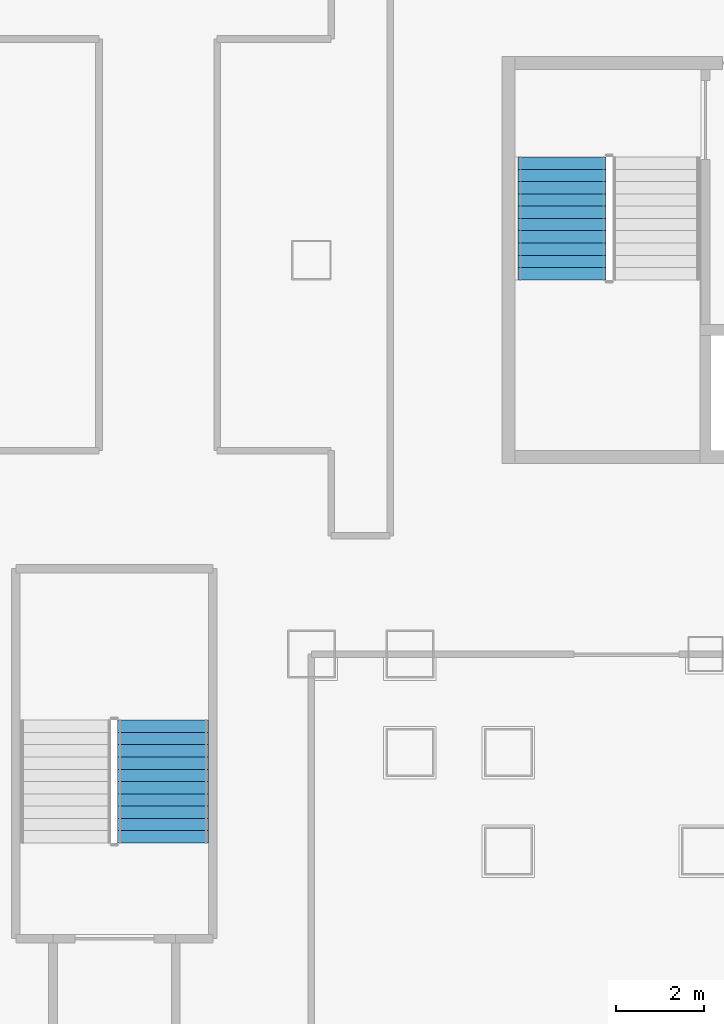
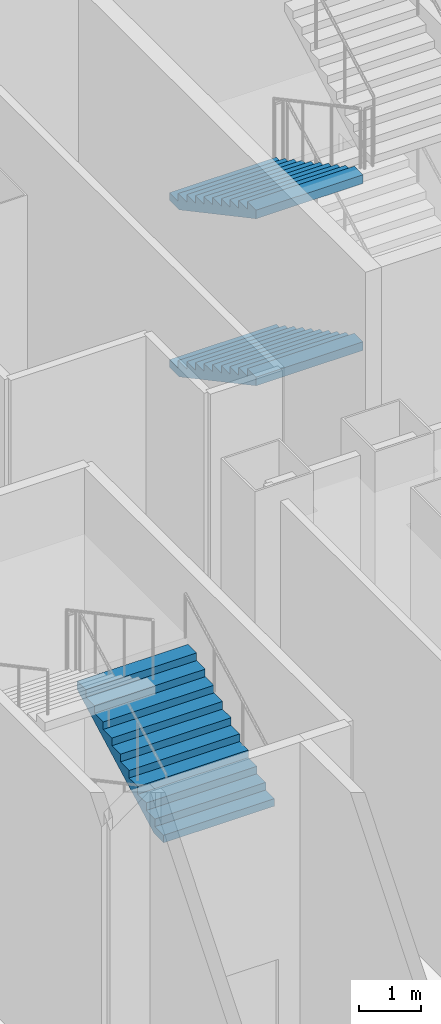
# One storey, part 10 of 26: 3 stair flights, 2 elements without a shape of their own.
"""IFC4 building model written with IfcOpenShell, lengths in metres."""

from ifc_helpers import new_model, si_unit, direction, frame, origin, place, context, subcontext, project, spatial, polygons, material, type_object, element, aggregate, save


model = new_model("IFC4")

# Units and contexts
model_context = context("Model", 3, precision=1e-05, world=origin(), true_north=direction((0.0, 1.0)))
body_context = subcontext(model_context, "Body", "Model", "MODEL_VIEW")
ifc_project = project(units=[si_unit("LENGTHUNIT", "METRE"), si_unit("AREAUNIT", "SQUARE_METRE"), si_unit("VOLUMEUNIT", "CUBIC_METRE"), si_unit("PLANEANGLEUNIT", "RADIAN"), si_unit("MASSUNIT", "GRAM", prefix="KILO")], contexts=[model_context])

# Site, building, storey
site_placement = place(None, origin())
site = spatial("IfcSite", under=ifc_project, at=site_placement, CompositionType="ELEMENT")
building_placement = place(site_placement, origin())
building = spatial("IfcBuilding", under=site, at=building_placement, Name="Caravel Reach Hotel and Residences", CompositionType="ELEMENT")
storey_placement = place(building_placement, frame((0.0, 0.0, 17.39990234375)))
storey = spatial("IfcBuildingStorey", under=building, at=storey_placement, Name="L03", CompositionType="ELEMENT", Elevation=17.39990234375)

# Stair, stair flights
ifc_material_1 = material(Name="Concrete C40", Category="concrete")
stair_type = type_object("IfcStairType", Name="Core stair", PredefinedType="HALF_TURN_STAIR", material=ifc_material_1)
stair_1_placement = place(storey_placement, origin())
stair_1 = element("IfcStair", 1, at=stair_1_placement, inside=storey, type_object=stair_type, Name="L03 Exit stair A", PredefinedType="HALF_TURN_STAIR")
ifc_material_2 = material(Name="Concrete C40", Category="concrete")
stair_flight_type = type_object("IfcStairFlightType", Name="Core stair flight", PredefinedType="STRAIGHT", material=ifc_material_2)
stair_flight_1_placement = place(storey_placement, frame((19.22509765625, 29.35009765625, 0.0), z_axis=(0.0, 0.0, 1.0), x_axis=(0.0, -1.0, 0.0)))
stair_flight_1 = element("IfcStairFlight", 2, at=stair_flight_1_placement, type_object=stair_flight_type, Name="ST-A flight 1", NumberOfRisers=11, NumberOfTreads=10, PredefinedType="STRAIGHT", RiserHeight=0.15, TreadLength=0.28, context=body_context, shape_type="Tessellation", body=[
    polygons([(0.3174408016601862, 1.0, 0.0), (0.3174408016601862, 0.6666666666666667, 0.0), (0.3174408016601862, 0.33333333333333337, 0.0), (0.3174408016601862, 0.0, 0.0), (0.3174408016601862, -0.33333333333333326, 0.0), (0.3174408016601862, -0.6666666666666667, 0.0), (0.3174408016601862, -1.0, 0.0), (2.801, 1.0, 1.329942427682043), (2.801, 0.6666666666666667, 1.329942427682043), (2.801, 0.33333333333333337, 1.329942427682043), (2.801, 0.0, 1.329942427682043), (2.801, -0.33333333333333326, 1.329942427682043), (2.801, -0.6666666666666667, 1.329942427682043), (2.801, -1.0, 1.329942427682043), (2.801, 1.0, 1.5), (2.801, 0.6666666666666667, 1.5), (2.801, 0.33333333333333337, 1.5), (2.801, 0.0, 1.5), (2.801, -0.33333333333333326, 1.5), (2.801, -0.6666666666666667, 1.5), (2.801, -1.0, 1.5), (2.5200000000000005, 1.0, 1.5), (2.5200000000000005, 0.6666666666666667, 1.5), (2.5200000000000005, 0.33333333333333337, 1.5), (2.5200000000000005, 0.0, 1.5), (2.5200000000000005, -0.33333333333333326, 1.5), (2.5200000000000005, -0.6666666666666667, 1.5), (2.5200000000000005, -1.0, 1.5), (2.5200000000000005, 1.0, 1.3499999999999999), (2.5200000000000005, 0.6666666666666667, 1.3499999999999999), (2.5200000000000005, 0.33333333333333337, 1.3499999999999999), (2.5200000000000005, 0.0, 1.3499999999999999), (2.5200000000000005, -0.33333333333333326, 1.3499999999999999), (2.5200000000000005, -0.6666666666666667, 1.3499999999999999), (2.5200000000000005, -1.0, 1.3499999999999999), (2.24, 1.0, 1.3499999999999999), (2.24, 0.6666666666666667, 1.3499999999999999), (2.24, 0.33333333333333337, 1.3499999999999999), (2.24, 0.0, 1.3499999999999999), (2.24, -0.33333333333333326, 1.3499999999999999), (2.24, -0.6666666666666667, 1.3499999999999999), (2.24, -1.0, 1.3499999999999999), (2.24, 1.0, 1.2), (2.24, 0.6666666666666667, 1.2), (2.24, 0.33333333333333337, 1.2), (2.24, 0.0, 1.2), (2.24, -0.33333333333333326, 1.2), (2.24, -0.6666666666666667, 1.2), (2.24, -1.0, 1.2), (1.9600000000000002, 1.0, 1.2), (1.9600000000000002, 0.6666666666666667, 1.2), (1.9600000000000002, 0.33333333333333337, 1.2), (1.9600000000000002, 0.0, 1.2), (1.9600000000000002, -0.33333333333333326, 1.2), (1.9600000000000002, -0.6666666666666667, 1.2), (1.9600000000000002, -1.0, 1.2), (1.9600000000000002, 1.0, 1.05), (1.9600000000000002, 0.6666666666666667, 1.05), (1.9600000000000002, 0.33333333333333337, 1.05), (1.9600000000000002, 0.0, 1.05), (1.9600000000000002, -0.33333333333333326, 1.05), (1.9600000000000002, -0.6666666666666667, 1.05), (1.9600000000000002, -1.0, 1.05), (1.6800000000000002, 1.0, 1.05), (1.6800000000000002, 0.6666666666666667, 1.05), (1.6800000000000002, 0.33333333333333337, 1.05), (1.6800000000000002, 0.0, 1.05), (1.6800000000000002, -0.33333333333333326, 1.05), (1.6800000000000002, -0.6666666666666667, 1.05), (1.6800000000000002, -1.0, 1.05), (1.6800000000000002, 1.0, 0.8999999999999999), (1.6800000000000002, 0.6666666666666667, 0.8999999999999999), (1.6800000000000002, 0.33333333333333337, 0.8999999999999999), (1.6800000000000002, 0.0, 0.8999999999999999), (1.6800000000000002, -0.33333333333333326, 0.8999999999999999), (1.6800000000000002, -0.6666666666666667, 0.8999999999999999), (1.6800000000000002, -1.0, 0.8999999999999999), (1.4000000000000001, 1.0, 0.8999999999999999), (1.4000000000000001, 0.6666666666666667, 0.8999999999999999), (1.4000000000000001, 0.33333333333333337, 0.8999999999999999), (1.4000000000000001, 0.0, 0.8999999999999999), (1.4000000000000001, -0.33333333333333326, 0.8999999999999999), (1.4000000000000001, -0.6666666666666667, 0.8999999999999999), (1.4000000000000001, -1.0, 0.8999999999999999), (1.4000000000000001, 1.0, 0.75), (1.4000000000000001, 0.6666666666666667, 0.75), (1.4000000000000001, 0.33333333333333337, 0.75), (1.4000000000000001, 0.0, 0.75), (1.4000000000000001, -0.33333333333333326, 0.75), (1.4000000000000001, -0.6666666666666667, 0.75), (1.4000000000000001, -1.0, 0.75), (1.12, 1.0, 0.75), (1.12, 0.6666666666666667, 0.75), (1.12, 0.33333333333333337, 0.75), (1.12, 0.0, 0.75), (1.12, -0.33333333333333326, 0.75), (1.12, -0.6666666666666667, 0.75), (1.12, -1.0, 0.75), (1.12, 1.0, 0.6), (1.12, 0.6666666666666667, 0.6), (1.12, 0.33333333333333337, 0.6), (1.12, 0.0, 0.6), (1.12, -0.33333333333333326, 0.6), (1.12, -0.6666666666666667, 0.6), (1.12, -1.0, 0.6), (0.8400000000000001, 1.0, 0.6), (0.8400000000000001, 0.6666666666666667, 0.6), (0.8400000000000001, 0.33333333333333337, 0.6), (0.8400000000000001, 0.0, 0.6), (0.8400000000000001, -0.33333333333333326, 0.6), (0.8400000000000001, -0.6666666666666667, 0.6), (0.8400000000000001, -1.0, 0.6), (0.8400000000000001, 1.0, 0.44999999999999996), (0.8400000000000001, 0.6666666666666667, 0.44999999999999996), (0.8400000000000001, 0.33333333333333337, 0.44999999999999996), (0.8400000000000001, 0.0, 0.44999999999999996), (0.8400000000000001, -0.33333333333333326, 0.44999999999999996), (0.8400000000000001, -0.6666666666666667, 0.44999999999999996), (0.8400000000000001, -1.0, 0.44999999999999996), (0.56, 1.0, 0.44999999999999996), (0.56, 0.6666666666666667, 0.44999999999999996), (0.56, 0.33333333333333337, 0.44999999999999996), (0.56, 0.0, 0.44999999999999996), (0.56, -0.33333333333333326, 0.44999999999999996), (0.56, -0.6666666666666667, 0.44999999999999996), (0.56, -1.0, 0.44999999999999996), (0.56, 1.0, 0.3), (0.56, 0.6666666666666667, 0.3), (0.56, 0.33333333333333337, 0.3), (0.56, 0.0, 0.3), (0.56, -0.33333333333333326, 0.3), (0.56, -0.6666666666666667, 0.3), (0.56, -1.0, 0.3), (0.28, 1.0, 0.3), (0.28, 0.6666666666666667, 0.3), (0.28, 0.33333333333333337, 0.3), (0.28, 0.0, 0.3), (0.28, -0.33333333333333326, 0.3), (0.28, -0.6666666666666667, 0.3), (0.28, -1.0, 0.3), (0.28, 1.0, 0.15), (0.28, 0.6666666666666667, 0.15), (0.28, 0.33333333333333337, 0.15), (0.28, 0.0, 0.15), (0.28, -0.33333333333333326, 0.15), (0.28, -0.6666666666666667, 0.15), (0.28, -1.0, 0.15), (-0.001, 1.0, 0.15), (-0.001, 0.6666666666666667, 0.15), (-0.001, 0.33333333333333337, 0.15), (-0.001, 0.0, 0.15), (-0.001, -0.33333333333333326, 0.15), (-0.001, -0.6666666666666667, 0.15), (-0.001, -1.0, 0.15), (-0.001, 1.0, 0.0), (-0.001, 0.6666666666666667, 0.0), (-0.001, 0.33333333333333337, 0.0), (-0.001, 0.0, 0.0), (-0.001, -0.33333333333333326, 0.0), (-0.001, -0.6666666666666667, 0.0), (-0.001, -1.0, 0.0)], [[[155, 148, 141, 134, 127, 120, 113, 106, 99, 92, 85, 78, 71, 64, 57, 50, 43, 36, 29, 22, 15, 8, 1]], [[7, 14, 21, 28, 35, 42, 49, 56, 63, 70, 77, 84, 91, 98, 105, 112, 119, 126, 133, 140, 147, 154, 161]], [[1, 8, 9, 2]], [[2, 9, 10, 3]], [[3, 10, 11, 4]], [[4, 11, 12, 5]], [[5, 12, 13, 6]], [[6, 13, 14, 7]], [[8, 15, 16, 9]], [[9, 16, 17, 10]], [[10, 17, 18, 11]], [[11, 18, 19, 12]], [[12, 19, 20, 13]], [[13, 20, 21, 14]], [[15, 22, 23, 16]], [[16, 23, 24, 17]], [[17, 24, 25, 18]], [[18, 25, 26, 19]], [[19, 26, 27, 20]], [[20, 27, 28, 21]], [[22, 29, 30, 23]], [[23, 30, 31, 24]], [[24, 31, 32, 25]], [[25, 32, 33, 26]], [[26, 33, 34, 27]], [[27, 34, 35, 28]], [[29, 36, 37, 30]], [[30, 37, 38, 31]], [[31, 38, 39, 32]], [[32, 39, 40, 33]], [[33, 40, 41, 34]], [[34, 41, 42, 35]], [[36, 43, 44, 37]], [[37, 44, 45, 38]], [[38, 45, 46, 39]], [[39, 46, 47, 40]], [[40, 47, 48, 41]], [[41, 48, 49, 42]], [[43, 50, 51, 44]], [[44, 51, 52, 45]], [[45, 52, 53, 46]], [[46, 53, 54, 47]], [[47, 54, 55, 48]], [[48, 55, 56, 49]], [[50, 57, 58, 51]], [[51, 58, 59, 52]], [[52, 59, 60, 53]], [[53, 60, 61, 54]], [[54, 61, 62, 55]], [[55, 62, 63, 56]], [[57, 64, 65, 58]], [[58, 65, 66, 59]], [[59, 66, 67, 60]], [[60, 67, 68, 61]], [[61, 68, 69, 62]], [[62, 69, 70, 63]], [[64, 71, 72, 65]], [[65, 72, 73, 66]], [[66, 73, 74, 67]], [[67, 74, 75, 68]], [[68, 75, 76, 69]], [[69, 76, 77, 70]], [[71, 78, 79, 72]], [[72, 79, 80, 73]], [[73, 80, 81, 74]], [[74, 81, 82, 75]], [[75, 82, 83, 76]], [[76, 83, 84, 77]], [[78, 85, 86, 79]], [[79, 86, 87, 80]], [[80, 87, 88, 81]], [[81, 88, 89, 82]], [[82, 89, 90, 83]], [[83, 90, 91, 84]], [[85, 92, 93, 86]], [[86, 93, 94, 87]], [[87, 94, 95, 88]], [[88, 95, 96, 89]], [[89, 96, 97, 90]], [[90, 97, 98, 91]], [[92, 99, 100, 93]], [[93, 100, 101, 94]], [[94, 101, 102, 95]], [[95, 102, 103, 96]], [[96, 103, 104, 97]], [[97, 104, 105, 98]], [[99, 106, 107, 100]], [[100, 107, 108, 101]], [[101, 108, 109, 102]], [[102, 109, 110, 103]], [[103, 110, 111, 104]], [[104, 111, 112, 105]], [[106, 113, 114, 107]], [[107, 114, 115, 108]], [[108, 115, 116, 109]], [[109, 116, 117, 110]], [[110, 117, 118, 111]], [[111, 118, 119, 112]], [[113, 120, 121, 114]], [[114, 121, 122, 115]], [[115, 122, 123, 116]], [[116, 123, 124, 117]], [[117, 124, 125, 118]], [[118, 125, 126, 119]], [[120, 127, 128, 121]], [[121, 128, 129, 122]], [[122, 129, 130, 123]], [[123, 130, 131, 124]], [[124, 131, 132, 125]], [[125, 132, 133, 126]], [[127, 134, 135, 128]], [[128, 135, 136, 129]], [[129, 136, 137, 130]], [[130, 137, 138, 131]], [[131, 138, 139, 132]], [[132, 139, 140, 133]], [[134, 141, 142, 135]], [[135, 142, 143, 136]], [[136, 143, 144, 137]], [[137, 144, 145, 138]], [[138, 145, 146, 139]], [[139, 146, 147, 140]], [[141, 148, 149, 142]], [[142, 149, 150, 143]], [[143, 150, 151, 144]], [[144, 151, 152, 145]], [[145, 152, 153, 146]], [[146, 153, 154, 147]], [[148, 155, 156, 149]], [[149, 156, 157, 150]], [[150, 157, 158, 151]], [[151, 158, 159, 152]], [[152, 159, 160, 153]], [[153, 160, 161, 154]], [[155, 1, 2, 156]], [[156, 2, 3, 157]], [[157, 3, 4, 158]], [[158, 4, 5, 159]], [[159, 5, 6, 160]], [[160, 6, 7, 161]]], closed=True),
])
stair_flight_2_placement = place(storey_placement, frame((19.22509765625, 29.35009765625, 3.300048828125), z_axis=(0.0, 0.0, 1.0), x_axis=(0.0, -1.0, 0.0)))
stair_flight_2 = element("IfcStairFlight", 3, at=stair_flight_2_placement, type_object=stair_flight_type, Name="ST-A flight 3", NumberOfRisers=11, NumberOfTreads=10, PredefinedType="STRAIGHT", RiserHeight=0.15, TreadLength=0.28, context=body_context, shape_type="Tessellation", body=[
    polygons([(0.3174408016601862, 1.0, 0.0), (0.3174408016601862, 0.6666666666666667, 0.0), (0.3174408016601862, 0.33333333333333337, 0.0), (0.3174408016601862, 0.0, 0.0), (0.3174408016601862, -0.33333333333333326, 0.0), (0.3174408016601862, -0.6666666666666667, 0.0), (0.3174408016601862, -1.0, 0.0), (2.801, 1.0, 1.329942427682043), (2.801, 0.6666666666666667, 1.329942427682043), (2.801, 0.33333333333333337, 1.329942427682043), (2.801, 0.0, 1.329942427682043), (2.801, -0.33333333333333326, 1.329942427682043), (2.801, -0.6666666666666667, 1.329942427682043), (2.801, -1.0, 1.329942427682043), (2.801, 1.0, 1.5), (2.801, 0.6666666666666667, 1.5), (2.801, 0.33333333333333337, 1.5), (2.801, 0.0, 1.5), (2.801, -0.33333333333333326, 1.5), (2.801, -0.6666666666666667, 1.5), (2.801, -1.0, 1.5), (2.5200000000000005, 1.0, 1.5), (2.5200000000000005, 0.6666666666666667, 1.5), (2.5200000000000005, 0.33333333333333337, 1.5), (2.5200000000000005, 0.0, 1.5), (2.5200000000000005, -0.33333333333333326, 1.5), (2.5200000000000005, -0.6666666666666667, 1.5), (2.5200000000000005, -1.0, 1.5), (2.5200000000000005, 1.0, 1.3499999999999999), (2.5200000000000005, 0.6666666666666667, 1.3499999999999999), (2.5200000000000005, 0.33333333333333337, 1.3499999999999999), (2.5200000000000005, 0.0, 1.3499999999999999), (2.5200000000000005, -0.33333333333333326, 1.3499999999999999), (2.5200000000000005, -0.6666666666666667, 1.3499999999999999), (2.5200000000000005, -1.0, 1.3499999999999999), (2.24, 1.0, 1.3499999999999999), (2.24, 0.6666666666666667, 1.3499999999999999), (2.24, 0.33333333333333337, 1.3499999999999999), (2.24, 0.0, 1.3499999999999999), (2.24, -0.33333333333333326, 1.3499999999999999), (2.24, -0.6666666666666667, 1.3499999999999999), (2.24, -1.0, 1.3499999999999999), (2.24, 1.0, 1.2), (2.24, 0.6666666666666667, 1.2), (2.24, 0.33333333333333337, 1.2), (2.24, 0.0, 1.2), (2.24, -0.33333333333333326, 1.2), (2.24, -0.6666666666666667, 1.2), (2.24, -1.0, 1.2), (1.9600000000000002, 1.0, 1.2), (1.9600000000000002, 0.6666666666666667, 1.2), (1.9600000000000002, 0.33333333333333337, 1.2), (1.9600000000000002, 0.0, 1.2), (1.9600000000000002, -0.33333333333333326, 1.2), (1.9600000000000002, -0.6666666666666667, 1.2), (1.9600000000000002, -1.0, 1.2), (1.9600000000000002, 1.0, 1.05), (1.9600000000000002, 0.6666666666666667, 1.05), (1.9600000000000002, 0.33333333333333337, 1.05), (1.9600000000000002, 0.0, 1.05), (1.9600000000000002, -0.33333333333333326, 1.05), (1.9600000000000002, -0.6666666666666667, 1.05), (1.9600000000000002, -1.0, 1.05), (1.6800000000000002, 1.0, 1.05), (1.6800000000000002, 0.6666666666666667, 1.05), (1.6800000000000002, 0.33333333333333337, 1.05), (1.6800000000000002, 0.0, 1.05), (1.6800000000000002, -0.33333333333333326, 1.05), (1.6800000000000002, -0.6666666666666667, 1.05), (1.6800000000000002, -1.0, 1.05), (1.6800000000000002, 1.0, 0.8999999999999999), (1.6800000000000002, 0.6666666666666667, 0.8999999999999999), (1.6800000000000002, 0.33333333333333337, 0.8999999999999999), (1.6800000000000002, 0.0, 0.8999999999999999), (1.6800000000000002, -0.33333333333333326, 0.8999999999999999), (1.6800000000000002, -0.6666666666666667, 0.8999999999999999), (1.6800000000000002, -1.0, 0.8999999999999999), (1.4000000000000001, 1.0, 0.8999999999999999), (1.4000000000000001, 0.6666666666666667, 0.8999999999999999), (1.4000000000000001, 0.33333333333333337, 0.8999999999999999), (1.4000000000000001, 0.0, 0.8999999999999999), (1.4000000000000001, -0.33333333333333326, 0.8999999999999999), (1.4000000000000001, -0.6666666666666667, 0.8999999999999999), (1.4000000000000001, -1.0, 0.8999999999999999), (1.4000000000000001, 1.0, 0.75), (1.4000000000000001, 0.6666666666666667, 0.75), (1.4000000000000001, 0.33333333333333337, 0.75), (1.4000000000000001, 0.0, 0.75), (1.4000000000000001, -0.33333333333333326, 0.75), (1.4000000000000001, -0.6666666666666667, 0.75), (1.4000000000000001, -1.0, 0.75), (1.12, 1.0, 0.75), (1.12, 0.6666666666666667, 0.75), (1.12, 0.33333333333333337, 0.75), (1.12, 0.0, 0.75), (1.12, -0.33333333333333326, 0.75), (1.12, -0.6666666666666667, 0.75), (1.12, -1.0, 0.75), (1.12, 1.0, 0.6), (1.12, 0.6666666666666667, 0.6), (1.12, 0.33333333333333337, 0.6), (1.12, 0.0, 0.6), (1.12, -0.33333333333333326, 0.6), (1.12, -0.6666666666666667, 0.6), (1.12, -1.0, 0.6), (0.8400000000000001, 1.0, 0.6), (0.8400000000000001, 0.6666666666666667, 0.6), (0.8400000000000001, 0.33333333333333337, 0.6), (0.8400000000000001, 0.0, 0.6), (0.8400000000000001, -0.33333333333333326, 0.6), (0.8400000000000001, -0.6666666666666667, 0.6), (0.8400000000000001, -1.0, 0.6), (0.8400000000000001, 1.0, 0.44999999999999996), (0.8400000000000001, 0.6666666666666667, 0.44999999999999996), (0.8400000000000001, 0.33333333333333337, 0.44999999999999996), (0.8400000000000001, 0.0, 0.44999999999999996), (0.8400000000000001, -0.33333333333333326, 0.44999999999999996), (0.8400000000000001, -0.6666666666666667, 0.44999999999999996), (0.8400000000000001, -1.0, 0.44999999999999996), (0.56, 1.0, 0.44999999999999996), (0.56, 0.6666666666666667, 0.44999999999999996), (0.56, 0.33333333333333337, 0.44999999999999996), (0.56, 0.0, 0.44999999999999996), (0.56, -0.33333333333333326, 0.44999999999999996), (0.56, -0.6666666666666667, 0.44999999999999996), (0.56, -1.0, 0.44999999999999996), (0.56, 1.0, 0.3), (0.56, 0.6666666666666667, 0.3), (0.56, 0.33333333333333337, 0.3), (0.56, 0.0, 0.3), (0.56, -0.33333333333333326, 0.3), (0.56, -0.6666666666666667, 0.3), (0.56, -1.0, 0.3), (0.28, 1.0, 0.3), (0.28, 0.6666666666666667, 0.3), (0.28, 0.33333333333333337, 0.3), (0.28, 0.0, 0.3), (0.28, -0.33333333333333326, 0.3), (0.28, -0.6666666666666667, 0.3), (0.28, -1.0, 0.3), (0.28, 1.0, 0.15), (0.28, 0.6666666666666667, 0.15), (0.28, 0.33333333333333337, 0.15), (0.28, 0.0, 0.15), (0.28, -0.33333333333333326, 0.15), (0.28, -0.6666666666666667, 0.15), (0.28, -1.0, 0.15), (-0.001, 1.0, 0.15), (-0.001, 0.6666666666666667, 0.15), (-0.001, 0.33333333333333337, 0.15), (-0.001, 0.0, 0.15), (-0.001, -0.33333333333333326, 0.15), (-0.001, -0.6666666666666667, 0.15), (-0.001, -1.0, 0.15), (-0.001, 1.0, 0.0), (-0.001, 0.6666666666666667, 0.0), (-0.001, 0.33333333333333337, 0.0), (-0.001, 0.0, 0.0), (-0.001, -0.33333333333333326, 0.0), (-0.001, -0.6666666666666667, 0.0), (-0.001, -1.0, 0.0)], [[[155, 148, 141, 134, 127, 120, 113, 106, 99, 92, 85, 78, 71, 64, 57, 50, 43, 36, 29, 22, 15, 8, 1]], [[7, 14, 21, 28, 35, 42, 49, 56, 63, 70, 77, 84, 91, 98, 105, 112, 119, 126, 133, 140, 147, 154, 161]], [[1, 8, 9, 2]], [[2, 9, 10, 3]], [[3, 10, 11, 4]], [[4, 11, 12, 5]], [[5, 12, 13, 6]], [[6, 13, 14, 7]], [[8, 15, 16, 9]], [[9, 16, 17, 10]], [[10, 17, 18, 11]], [[11, 18, 19, 12]], [[12, 19, 20, 13]], [[13, 20, 21, 14]], [[15, 22, 23, 16]], [[16, 23, 24, 17]], [[17, 24, 25, 18]], [[18, 25, 26, 19]], [[19, 26, 27, 20]], [[20, 27, 28, 21]], [[22, 29, 30, 23]], [[23, 30, 31, 24]], [[24, 31, 32, 25]], [[25, 32, 33, 26]], [[26, 33, 34, 27]], [[27, 34, 35, 28]], [[29, 36, 37, 30]], [[30, 37, 38, 31]], [[31, 38, 39, 32]], [[32, 39, 40, 33]], [[33, 40, 41, 34]], [[34, 41, 42, 35]], [[36, 43, 44, 37]], [[37, 44, 45, 38]], [[38, 45, 46, 39]], [[39, 46, 47, 40]], [[40, 47, 48, 41]], [[41, 48, 49, 42]], [[43, 50, 51, 44]], [[44, 51, 52, 45]], [[45, 52, 53, 46]], [[46, 53, 54, 47]], [[47, 54, 55, 48]], [[48, 55, 56, 49]], [[50, 57, 58, 51]], [[51, 58, 59, 52]], [[52, 59, 60, 53]], [[53, 60, 61, 54]], [[54, 61, 62, 55]], [[55, 62, 63, 56]], [[57, 64, 65, 58]], [[58, 65, 66, 59]], [[59, 66, 67, 60]], [[60, 67, 68, 61]], [[61, 68, 69, 62]], [[62, 69, 70, 63]], [[64, 71, 72, 65]], [[65, 72, 73, 66]], [[66, 73, 74, 67]], [[67, 74, 75, 68]], [[68, 75, 76, 69]], [[69, 76, 77, 70]], [[71, 78, 79, 72]], [[72, 79, 80, 73]], [[73, 80, 81, 74]], [[74, 81, 82, 75]], [[75, 82, 83, 76]], [[76, 83, 84, 77]], [[78, 85, 86, 79]], [[79, 86, 87, 80]], [[80, 87, 88, 81]], [[81, 88, 89, 82]], [[82, 89, 90, 83]], [[83, 90, 91, 84]], [[85, 92, 93, 86]], [[86, 93, 94, 87]], [[87, 94, 95, 88]], [[88, 95, 96, 89]], [[89, 96, 97, 90]], [[90, 97, 98, 91]], [[92, 99, 100, 93]], [[93, 100, 101, 94]], [[94, 101, 102, 95]], [[95, 102, 103, 96]], [[96, 103, 104, 97]], [[97, 104, 105, 98]], [[99, 106, 107, 100]], [[100, 107, 108, 101]], [[101, 108, 109, 102]], [[102, 109, 110, 103]], [[103, 110, 111, 104]], [[104, 111, 112, 105]], [[106, 113, 114, 107]], [[107, 114, 115, 108]], [[108, 115, 116, 109]], [[109, 116, 117, 110]], [[110, 117, 118, 111]], [[111, 118, 119, 112]], [[113, 120, 121, 114]], [[114, 121, 122, 115]], [[115, 122, 123, 116]], [[116, 123, 124, 117]], [[117, 124, 125, 118]], [[118, 125, 126, 119]], [[120, 127, 128, 121]], [[121, 128, 129, 122]], [[122, 129, 130, 123]], [[123, 130, 131, 124]], [[124, 131, 132, 125]], [[125, 132, 133, 126]], [[127, 134, 135, 128]], [[128, 135, 136, 129]], [[129, 136, 137, 130]], [[130, 137, 138, 131]], [[131, 138, 139, 132]], [[132, 139, 140, 133]], [[134, 141, 142, 135]], [[135, 142, 143, 136]], [[136, 143, 144, 137]], [[137, 144, 145, 138]], [[138, 145, 146, 139]], [[139, 146, 147, 140]], [[141, 148, 149, 142]], [[142, 149, 150, 143]], [[143, 150, 151, 144]], [[144, 151, 152, 145]], [[145, 152, 153, 146]], [[146, 153, 154, 147]], [[148, 155, 156, 149]], [[149, 156, 157, 150]], [[150, 157, 158, 151]], [[151, 158, 159, 152]], [[152, 159, 160, 153]], [[153, 160, 161, 154]], [[155, 1, 2, 156]], [[156, 2, 3, 157]], [[157, 3, 4, 158]], [[158, 4, 5, 159]], [[159, 5, 6, 160]], [[160, 6, 7, 161]]], closed=True),
])
aggregate(stair_1, [stair_flight_1, stair_flight_2])

# Stair, stair flight
stair_2_placement = place(storey_placement, origin())
stair_2 = element("IfcStair", 4, at=stair_2_placement, inside=storey, type_object=stair_type, Name="L03 Exit stair P3", PredefinedType="HALF_TURN_STAIR")
stair_flight_3_placement = place(storey_placement, frame((10.110107421875, 13.68994140625, 3.300048828125), z_axis=(0.0, 0.0, 1.0), x_axis=(0.0, 1.0, 0.0)))
stair_flight_3 = element("IfcStairFlight", 5, at=stair_flight_3_placement, type_object=stair_flight_type, Name="ST-P3 flight 3", NumberOfRisers=11, NumberOfTreads=10, PredefinedType="STRAIGHT", RiserHeight=0.15, TreadLength=0.28, context=body_context, shape_type="Tessellation", body=[
    polygons([(0.3174408016601862, 1.0350341796875, 0.0), (0.3174408016601862, 0.6900227864583333, 0.0), (0.3174408016601862, 0.34501139322916663, 0.0), (0.3174408016601862, 0.0, 0.0), (0.3174408016601862, -0.34501139322916674, 0.0), (0.3174408016601862, -0.6900227864583333, 0.0), (0.3174408016601862, -1.0350341796875, 0.0), (2.801, 1.0350341796875, 1.329942427682043), (2.801, 0.6900227864583333, 1.329942427682043), (2.801, 0.34501139322916663, 1.329942427682043), (2.801, 0.0, 1.329942427682043), (2.801, -0.34501139322916674, 1.329942427682043), (2.801, -0.6900227864583333, 1.329942427682043), (2.801, -1.0350341796875, 1.329942427682043), (2.801, 1.0350341796875, 1.5), (2.801, 0.6900227864583333, 1.5), (2.801, 0.34501139322916663, 1.5), (2.801, 0.0, 1.5), (2.801, -0.34501139322916674, 1.5), (2.801, -0.6900227864583333, 1.5), (2.801, -1.0350341796875, 1.5), (2.5200000000000005, 1.0350341796875, 1.5), (2.5200000000000005, 0.6900227864583333, 1.5), (2.5200000000000005, 0.34501139322916663, 1.5), (2.5200000000000005, 0.0, 1.5), (2.5200000000000005, -0.34501139322916674, 1.5), (2.5200000000000005, -0.6900227864583333, 1.5), (2.5200000000000005, -1.0350341796875, 1.5), (2.5200000000000005, 1.0350341796875, 1.3499999999999999), (2.5200000000000005, 0.6900227864583333, 1.3499999999999999), (2.5200000000000005, 0.34501139322916663, 1.3499999999999999), (2.5200000000000005, 0.0, 1.3499999999999999), (2.5200000000000005, -0.34501139322916674, 1.3499999999999999), (2.5200000000000005, -0.6900227864583333, 1.3499999999999999), (2.5200000000000005, -1.0350341796875, 1.3499999999999999), (2.24, 1.0350341796875, 1.3499999999999999), (2.24, 0.6900227864583333, 1.3499999999999999), (2.24, 0.34501139322916663, 1.3499999999999999), (2.24, 0.0, 1.3499999999999999), (2.24, -0.34501139322916674, 1.3499999999999999), (2.24, -0.6900227864583333, 1.3499999999999999), (2.24, -1.0350341796875, 1.3499999999999999), (2.24, 1.0350341796875, 1.2), (2.24, 0.6900227864583333, 1.2), (2.24, 0.34501139322916663, 1.2), (2.24, 0.0, 1.2), (2.24, -0.34501139322916674, 1.2), (2.24, -0.6900227864583333, 1.2), (2.24, -1.0350341796875, 1.2), (1.9600000000000002, 1.0350341796875, 1.2), (1.9600000000000002, 0.6900227864583333, 1.2), (1.9600000000000002, 0.34501139322916663, 1.2), (1.9600000000000002, 0.0, 1.2), (1.9600000000000002, -0.34501139322916674, 1.2), (1.9600000000000002, -0.6900227864583333, 1.2), (1.9600000000000002, -1.0350341796875, 1.2), (1.9600000000000002, 1.0350341796875, 1.05), (1.9600000000000002, 0.6900227864583333, 1.05), (1.9600000000000002, 0.34501139322916663, 1.05), (1.9600000000000002, 0.0, 1.05), (1.9600000000000002, -0.34501139322916674, 1.05), (1.9600000000000002, -0.6900227864583333, 1.05), (1.9600000000000002, -1.0350341796875, 1.05), (1.6800000000000002, 1.0350341796875, 1.05), (1.6800000000000002, 0.6900227864583333, 1.05), (1.6800000000000002, 0.34501139322916663, 1.05), (1.6800000000000002, 0.0, 1.05), (1.6800000000000002, -0.34501139322916674, 1.05), (1.6800000000000002, -0.6900227864583333, 1.05), (1.6800000000000002, -1.0350341796875, 1.05), (1.6800000000000002, 1.0350341796875, 0.8999999999999999), (1.6800000000000002, 0.6900227864583333, 0.8999999999999999), (1.6800000000000002, 0.34501139322916663, 0.8999999999999999), (1.6800000000000002, 0.0, 0.8999999999999999), (1.6800000000000002, -0.34501139322916674, 0.8999999999999999), (1.6800000000000002, -0.6900227864583333, 0.8999999999999999), (1.6800000000000002, -1.0350341796875, 0.8999999999999999), (1.4000000000000001, 1.0350341796875, 0.8999999999999999), (1.4000000000000001, 0.6900227864583333, 0.8999999999999999), (1.4000000000000001, 0.34501139322916663, 0.8999999999999999), (1.4000000000000001, 0.0, 0.8999999999999999), (1.4000000000000001, -0.34501139322916674, 0.8999999999999999), (1.4000000000000001, -0.6900227864583333, 0.8999999999999999), (1.4000000000000001, -1.0350341796875, 0.8999999999999999), (1.4000000000000001, 1.0350341796875, 0.75), (1.4000000000000001, 0.6900227864583333, 0.75), (1.4000000000000001, 0.34501139322916663, 0.75), (1.4000000000000001, 0.0, 0.75), (1.4000000000000001, -0.34501139322916674, 0.75), (1.4000000000000001, -0.6900227864583333, 0.75), (1.4000000000000001, -1.0350341796875, 0.75), (1.12, 1.0350341796875, 0.75), (1.12, 0.6900227864583333, 0.75), (1.12, 0.34501139322916663, 0.75), (1.12, 0.0, 0.75), (1.12, -0.34501139322916674, 0.75), (1.12, -0.6900227864583333, 0.75), (1.12, -1.0350341796875, 0.75), (1.12, 1.0350341796875, 0.6), (1.12, 0.6900227864583333, 0.6), (1.12, 0.34501139322916663, 0.6), (1.12, 0.0, 0.6), (1.12, -0.34501139322916674, 0.6), (1.12, -0.6900227864583333, 0.6), (1.12, -1.0350341796875, 0.6), (0.8400000000000001, 1.0350341796875, 0.6), (0.8400000000000001, 0.6900227864583333, 0.6), (0.8400000000000001, 0.34501139322916663, 0.6), (0.8400000000000001, 0.0, 0.6), (0.8400000000000001, -0.34501139322916674, 0.6), (0.8400000000000001, -0.6900227864583333, 0.6), (0.8400000000000001, -1.0350341796875, 0.6), (0.8400000000000001, 1.0350341796875, 0.44999999999999996), (0.8400000000000001, 0.6900227864583333, 0.44999999999999996), (0.8400000000000001, 0.34501139322916663, 0.44999999999999996), (0.8400000000000001, 0.0, 0.44999999999999996), (0.8400000000000001, -0.34501139322916674, 0.44999999999999996), (0.8400000000000001, -0.6900227864583333, 0.44999999999999996), (0.8400000000000001, -1.0350341796875, 0.44999999999999996), (0.56, 1.0350341796875, 0.44999999999999996), (0.56, 0.6900227864583333, 0.44999999999999996), (0.56, 0.34501139322916663, 0.44999999999999996), (0.56, 0.0, 0.44999999999999996), (0.56, -0.34501139322916674, 0.44999999999999996), (0.56, -0.6900227864583333, 0.44999999999999996), (0.56, -1.0350341796875, 0.44999999999999996), (0.56, 1.0350341796875, 0.3), (0.56, 0.6900227864583333, 0.3), (0.56, 0.34501139322916663, 0.3), (0.56, 0.0, 0.3), (0.56, -0.34501139322916674, 0.3), (0.56, -0.6900227864583333, 0.3), (0.56, -1.0350341796875, 0.3), (0.28, 1.0350341796875, 0.3), (0.28, 0.6900227864583333, 0.3), (0.28, 0.34501139322916663, 0.3), (0.28, 0.0, 0.3), (0.28, -0.34501139322916674, 0.3), (0.28, -0.6900227864583333, 0.3), (0.28, -1.0350341796875, 0.3), (0.28, 1.0350341796875, 0.15), (0.28, 0.6900227864583333, 0.15), (0.28, 0.34501139322916663, 0.15), (0.28, 0.0, 0.15), (0.28, -0.34501139322916674, 0.15), (0.28, -0.6900227864583333, 0.15), (0.28, -1.0350341796875, 0.15), (-0.001, 1.0350341796875, 0.15), (-0.001, 0.6900227864583333, 0.15), (-0.001, 0.34501139322916663, 0.15), (-0.001, 0.0, 0.15), (-0.001, -0.34501139322916674, 0.15), (-0.001, -0.6900227864583333, 0.15), (-0.001, -1.0350341796875, 0.15), (-0.001, 1.0350341796875, 0.0), (-0.001, 0.6900227864583333, 0.0), (-0.001, 0.34501139322916663, 0.0), (-0.001, 0.0, 0.0), (-0.001, -0.34501139322916674, 0.0), (-0.001, -0.6900227864583333, 0.0), (-0.001, -1.0350341796875, 0.0)], [[[155, 148, 141, 134, 127, 120, 113, 106, 99, 92, 85, 78, 71, 64, 57, 50, 43, 36, 29, 22, 15, 8, 1]], [[7, 14, 21, 28, 35, 42, 49, 56, 63, 70, 77, 84, 91, 98, 105, 112, 119, 126, 133, 140, 147, 154, 161]], [[1, 8, 9, 2]], [[2, 9, 10, 3]], [[3, 10, 11, 4]], [[4, 11, 12, 5]], [[5, 12, 13, 6]], [[6, 13, 14, 7]], [[8, 15, 16, 9]], [[9, 16, 17, 10]], [[10, 17, 18, 11]], [[11, 18, 19, 12]], [[12, 19, 20, 13]], [[13, 20, 21, 14]], [[15, 22, 23, 16]], [[16, 23, 24, 17]], [[17, 24, 25, 18]], [[18, 25, 26, 19]], [[19, 26, 27, 20]], [[20, 27, 28, 21]], [[22, 29, 30, 23]], [[23, 30, 31, 24]], [[24, 31, 32, 25]], [[25, 32, 33, 26]], [[26, 33, 34, 27]], [[27, 34, 35, 28]], [[29, 36, 37, 30]], [[30, 37, 38, 31]], [[31, 38, 39, 32]], [[32, 39, 40, 33]], [[33, 40, 41, 34]], [[34, 41, 42, 35]], [[36, 43, 44, 37]], [[37, 44, 45, 38]], [[38, 45, 46, 39]], [[39, 46, 47, 40]], [[40, 47, 48, 41]], [[41, 48, 49, 42]], [[43, 50, 51, 44]], [[44, 51, 52, 45]], [[45, 52, 53, 46]], [[46, 53, 54, 47]], [[47, 54, 55, 48]], [[48, 55, 56, 49]], [[50, 57, 58, 51]], [[51, 58, 59, 52]], [[52, 59, 60, 53]], [[53, 60, 61, 54]], [[54, 61, 62, 55]], [[55, 62, 63, 56]], [[57, 64, 65, 58]], [[58, 65, 66, 59]], [[59, 66, 67, 60]], [[60, 67, 68, 61]], [[61, 68, 69, 62]], [[62, 69, 70, 63]], [[64, 71, 72, 65]], [[65, 72, 73, 66]], [[66, 73, 74, 67]], [[67, 74, 75, 68]], [[68, 75, 76, 69]], [[69, 76, 77, 70]], [[71, 78, 79, 72]], [[72, 79, 80, 73]], [[73, 80, 81, 74]], [[74, 81, 82, 75]], [[75, 82, 83, 76]], [[76, 83, 84, 77]], [[78, 85, 86, 79]], [[79, 86, 87, 80]], [[80, 87, 88, 81]], [[81, 88, 89, 82]], [[82, 89, 90, 83]], [[83, 90, 91, 84]], [[85, 92, 93, 86]], [[86, 93, 94, 87]], [[87, 94, 95, 88]], [[88, 95, 96, 89]], [[89, 96, 97, 90]], [[90, 97, 98, 91]], [[92, 99, 100, 93]], [[93, 100, 101, 94]], [[94, 101, 102, 95]], [[95, 102, 103, 96]], [[96, 103, 104, 97]], [[97, 104, 105, 98]], [[99, 106, 107, 100]], [[100, 107, 108, 101]], [[101, 108, 109, 102]], [[102, 109, 110, 103]], [[103, 110, 111, 104]], [[104, 111, 112, 105]], [[106, 113, 114, 107]], [[107, 114, 115, 108]], [[108, 115, 116, 109]], [[109, 116, 117, 110]], [[110, 117, 118, 111]], [[111, 118, 119, 112]], [[113, 120, 121, 114]], [[114, 121, 122, 115]], [[115, 122, 123, 116]], [[116, 123, 124, 117]], [[117, 124, 125, 118]], [[118, 125, 126, 119]], [[120, 127, 128, 121]], [[121, 128, 129, 122]], [[122, 129, 130, 123]], [[123, 130, 131, 124]], [[124, 131, 132, 125]], [[125, 132, 133, 126]], [[127, 134, 135, 128]], [[128, 135, 136, 129]], [[129, 136, 137, 130]], [[130, 137, 138, 131]], [[131, 138, 139, 132]], [[132, 139, 140, 133]], [[134, 141, 142, 135]], [[135, 142, 143, 136]], [[136, 143, 144, 137]], [[137, 144, 145, 138]], [[138, 145, 146, 139]], [[139, 146, 147, 140]], [[141, 148, 149, 142]], [[142, 149, 150, 143]], [[143, 150, 151, 144]], [[144, 151, 152, 145]], [[145, 152, 153, 146]], [[146, 153, 154, 147]], [[148, 155, 156, 149]], [[149, 156, 157, 150]], [[150, 157, 158, 151]], [[151, 158, 159, 152]], [[152, 159, 160, 153]], [[153, 160, 161, 154]], [[155, 1, 2, 156]], [[156, 2, 3, 157]], [[157, 3, 4, 158]], [[158, 4, 5, 159]], [[159, 5, 6, 160]], [[160, 6, 7, 161]]], closed=True),
])
aggregate(stair_2, [stair_flight_3])

save(model, "model.ifc")
